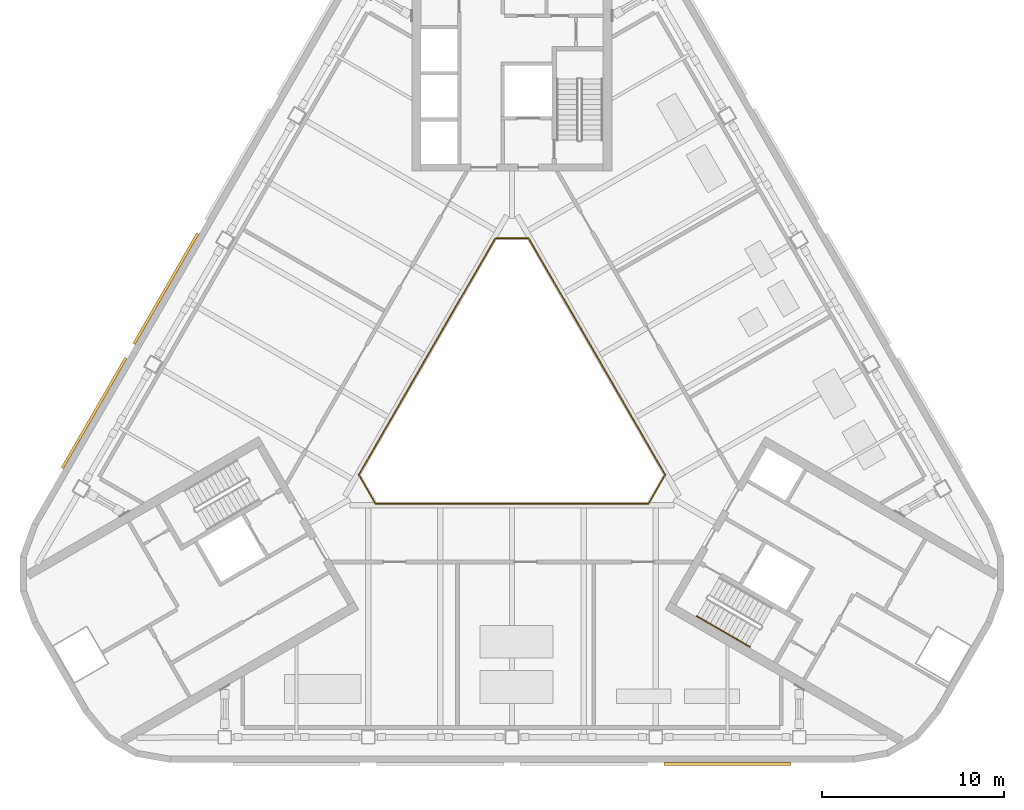
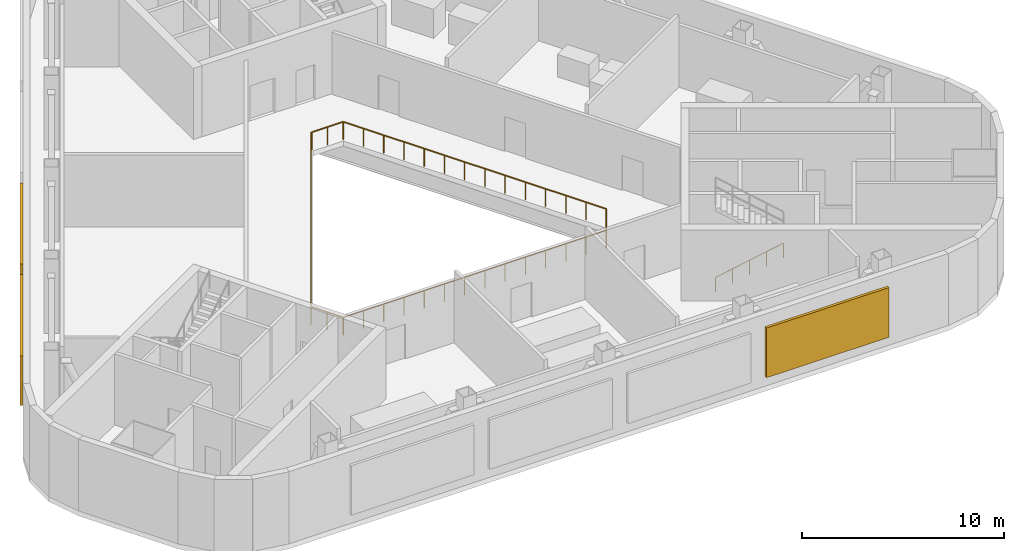
# One storey, part 11 of 14: 3 railings, 3 shading devices.
"""IFC4 building model written with IfcOpenShell, lengths in metres."""

from ifc_helpers import new_model, si_unit, direction, frame, origin, origin_2d, place, context, subcontext, project, spatial, rectangle, circle, extrude, material, type_object, element, save


model = new_model("IFC4")

# Units and contexts
model_context = context("Model", 3, precision=1e-05, world=origin(), true_north=direction((0.0, 1.0)))
body_context = subcontext(model_context, "Body", "Model", "MODEL_VIEW")
ifc_project = project(units=[si_unit("LENGTHUNIT", "METRE"), si_unit("AREAUNIT", "SQUARE_METRE"), si_unit("VOLUMEUNIT", "CUBIC_METRE"), si_unit("PLANEANGLEUNIT", "RADIAN"), si_unit("MASSUNIT", "GRAM", prefix="KILO")], contexts=[model_context])

# Site, building, storey
site_placement = place(None, origin())
site = spatial("IfcSite", under=ifc_project, at=site_placement, CompositionType="ELEMENT")
building_placement = place(site_placement, origin())
building = spatial("IfcBuilding", under=site, at=building_placement, Name="Apuvela Tower Hotel", CompositionType="ELEMENT")
storey_placement = place(building_placement, frame((0.0, 0.0, 242.199951171875)))
storey = spatial("IfcBuildingStorey", under=building, at=storey_placement, Name="L59 Plant", CompositionType="ELEMENT", Elevation=242.199951171875)

# Railings
ifc_material_1 = material(Name="Stainless steel 316 handrail", Category="steel")
railing_type_1 = type_object("IfcRailingType", Name="COR-HANDRAIL-900", PredefinedType="HANDRAIL", material=ifc_material_1)
railing_1_placement = place(storey_placement, frame((10.1689453125, -11.5869140625, 0.173095703125)))
element("IfcRailing", 1, at=railing_1_placement, inside=storey, type_object=railing_type_1, Name="L59 Plant ST3 stair handrail 1", PredefinedType="HANDRAIL", context=body_context, shape_type="SweptSolid", body=[
    extrude(circle(Radius=0.02392578125, at=origin_2d()), frame((0.0, 0.0, 0.8759765625), z_axis=(0.736667954249, -0.425288379326, 0.525785240943), x_axis=(0.499976138585, 0.866039179741, 0.0)), (0.0, 0.0, 1.0), 3.9501953125),
    extrude(rectangle(XDim=0.0419921875, YDim=0.0419921875, at=origin_2d()), origin(), (0.0, 0.0, 1.0), 0.851806640625),
    extrude(rectangle(XDim=0.0419921875, YDim=0.0419921875, at=origin_2d()), frame((0.7275390625, -0.419921875, 0.519287109375)), (0.0, 0.0, 1.0), 0.851806640625),
    extrude(rectangle(XDim=0.0419921875, YDim=0.0419921875, at=origin_2d()), frame((1.455078125, -0.83984375, 1.03857421875)), (0.0, 0.0, 1.0), 0.851806640625),
    extrude(rectangle(XDim=0.0419921875, YDim=0.0419921875, at=origin_2d()), frame((2.182373046875, -1.260009765625, 1.5576171875)), (0.0, 0.0, 1.0), 0.851806640625),
    extrude(rectangle(XDim=0.0419921875, YDim=0.0419921875, at=origin_2d()), frame((2.909912109375, -1.679931640625, 2.076904296875)), (0.0, 0.0, 1.0), 0.851806640625),
])
ifc_material_2 = material(Name="Stainless steel 316 rail with laminated glass infill", Category="steel")
railing_type_2 = type_object("IfcRailingType", Name="ENV-GUARD-1100", PredefinedType="GUARDRAIL", material=ifc_material_2)
railing_2_placement = place(storey_placement, frame((-0.923828125, 9.199951171875, 0.0)))
element("IfcRailing", 2, at=railing_2_placement, inside=storey, type_object=railing_type_2, Name="Atrium void guard A L59 Plant", PredefinedType="GUARDRAIL", context=body_context, shape_type="SweptSolid", body=[
    extrude(rectangle(XDim=0.050048828125, YDim=0.050048828125, at=origin_2d()), frame((0.0, 0.0, 1.0751953125), z_axis=(-0.499990886379, -0.866030665472, 0.0), x_axis=(0.866030665472, -0.499990886379, 0.0)), (0.0, 0.0, 1.0), 15.010986328125),
    extrude(rectangle(XDim=0.050048828125, YDim=0.050048828125, at=origin_2d()), frame((-7.50537109375, -13.0, 1.0751953125), z_axis=(0.499962699187, -0.866046938348, 0.0), x_axis=(0.866046938348, 0.499962699187, 0.0)), (0.0, 0.0, 1.0), 1.847412109375),
    extrude(rectangle(XDim=0.050048828125, YDim=0.050048828125, at=origin_2d()), frame((-6.581787109375, -14.599853515625, 1.0751953125), z_axis=(1.0, 0.0, 0.0), x_axis=(0.0, 1.0, 0.0)), (0.0, 0.0, 1.0), 15.01123046875),
    extrude(rectangle(XDim=0.0400390625, YDim=0.0400390625, at=origin_2d()), origin(), (0.0, 0.0, 1.0), 1.050048828125),
    extrude(rectangle(XDim=0.0400390625, YDim=0.0400390625, at=origin_2d()), frame((-0.577392578125, -1.0, 0.0)), (0.0, 0.0, 1.0), 1.050048828125),
    extrude(rectangle(XDim=0.0400390625, YDim=0.0400390625, at=origin_2d()), frame((-1.15478515625, -2.0, 0.0)), (0.0, 0.0, 1.0), 1.050048828125),
    extrude(rectangle(XDim=0.0400390625, YDim=0.0400390625, at=origin_2d()), frame((-1.73193359375, -3.0, 0.0)), (0.0, 0.0, 1.0), 1.050048828125),
    extrude(rectangle(XDim=0.0400390625, YDim=0.0400390625, at=origin_2d()), frame((-2.309326171875, -4.0, 0.0)), (0.0, 0.0, 1.0), 1.050048828125),
    extrude(rectangle(XDim=0.0400390625, YDim=0.0400390625, at=origin_2d()), frame((-2.88671875, -5.0, 0.0)), (0.0, 0.0, 1.0), 1.050048828125),
    extrude(rectangle(XDim=0.0400390625, YDim=0.0400390625, at=origin_2d()), frame((-3.464111328125, -6.0, 0.0)), (0.0, 0.0, 1.0), 1.050048828125),
    extrude(rectangle(XDim=0.0400390625, YDim=0.0400390625, at=origin_2d()), frame((-4.041259765625, -7.0, 0.0)), (0.0, 0.0, 1.0), 1.050048828125),
    extrude(rectangle(XDim=0.0400390625, YDim=0.0400390625, at=origin_2d()), frame((-4.61865234375, -8.0, 0.0)), (0.0, 0.0, 1.0), 1.050048828125),
    extrude(rectangle(XDim=0.0400390625, YDim=0.0400390625, at=origin_2d()), frame((-5.196044921875, -9.0, 0.0)), (0.0, 0.0, 1.0), 1.050048828125),
    extrude(rectangle(XDim=0.0400390625, YDim=0.0400390625, at=origin_2d()), frame((-5.7734375, -10.0, 0.0)), (0.0, 0.0, 1.0), 1.050048828125),
    extrude(rectangle(XDim=0.0400390625, YDim=0.0400390625, at=origin_2d()), frame((-6.3505859375, -11.0, 0.0)), (0.0, 0.0, 1.0), 1.050048828125),
    extrude(rectangle(XDim=0.0400390625, YDim=0.0400390625, at=origin_2d()), frame((-6.927978515625, -12.0, 0.0)), (0.0, 0.0, 1.0), 1.050048828125),
    extrude(rectangle(XDim=0.0400390625, YDim=0.0400390625, at=origin_2d()), frame((-7.50537109375, -13.0, 0.0)), (0.0, 0.0, 1.0), 1.050048828125),
    extrude(rectangle(XDim=0.0400390625, YDim=0.0400390625, at=origin_2d()), frame((-7.04345703125, -13.7998046875, 0.0)), (0.0, 0.0, 1.0), 1.050048828125),
    extrude(rectangle(XDim=0.0400390625, YDim=0.0400390625, at=origin_2d()), frame((-6.581787109375, -14.599853515625, 0.0)), (0.0, 0.0, 1.0), 1.050048828125),
    extrude(rectangle(XDim=0.0400390625, YDim=0.0400390625, at=origin_2d()), frame((-5.427001953125, -14.599853515625, 0.0)), (0.0, 0.0, 1.0), 1.050048828125),
    extrude(rectangle(XDim=0.0400390625, YDim=0.0400390625, at=origin_2d()), frame((-4.2724609375, -14.599853515625, 0.0)), (0.0, 0.0, 1.0), 1.050048828125),
    extrude(rectangle(XDim=0.0400390625, YDim=0.0400390625, at=origin_2d()), frame((-3.11767578125, -14.599853515625, 0.0)), (0.0, 0.0, 1.0), 1.050048828125),
    extrude(rectangle(XDim=0.0400390625, YDim=0.0400390625, at=origin_2d()), frame((-1.962890625, -14.599853515625, 0.0)), (0.0, 0.0, 1.0), 1.050048828125),
    extrude(rectangle(XDim=0.0400390625, YDim=0.0400390625, at=origin_2d()), frame((-0.808349609375, -14.599853515625, 0.0)), (0.0, 0.0, 1.0), 1.050048828125),
    extrude(rectangle(XDim=0.0400390625, YDim=0.0400390625, at=origin_2d()), frame((0.346435546875, -14.599853515625, 0.0)), (0.0, 0.0, 1.0), 1.050048828125),
    extrude(rectangle(XDim=0.0400390625, YDim=0.0400390625, at=origin_2d()), frame((1.501220703125, -14.599853515625, 0.0)), (0.0, 0.0, 1.0), 1.050048828125),
    extrude(rectangle(XDim=0.0400390625, YDim=0.0400390625, at=origin_2d()), frame((2.656005859375, -14.599853515625, 0.0)), (0.0, 0.0, 1.0), 1.050048828125),
    extrude(rectangle(XDim=0.0400390625, YDim=0.0400390625, at=origin_2d()), frame((3.810546875, -14.599853515625, 0.0)), (0.0, 0.0, 1.0), 1.050048828125),
    extrude(rectangle(XDim=0.0400390625, YDim=0.0400390625, at=origin_2d()), frame((4.96533203125, -14.599853515625, 0.0)), (0.0, 0.0, 1.0), 1.050048828125),
    extrude(rectangle(XDim=0.0400390625, YDim=0.0400390625, at=origin_2d()), frame((6.1201171875, -14.599853515625, 0.0)), (0.0, 0.0, 1.0), 1.050048828125),
    extrude(rectangle(XDim=0.0400390625, YDim=0.0400390625, at=origin_2d()), frame((7.274658203125, -14.599853515625, 0.0)), (0.0, 0.0, 1.0), 1.050048828125),
    extrude(rectangle(XDim=0.0400390625, YDim=0.0400390625, at=origin_2d()), frame((8.429443359375, -14.599853515625, 0.0)), (0.0, 0.0, 1.0), 1.050048828125),
])
railing_3_placement = place(storey_placement, frame((7.53564453125, -5.347900390625, 0.0)))
element("IfcRailing", 3, at=railing_3_placement, inside=storey, type_object=railing_type_2, Name="Atrium void guard B L59 Plant", PredefinedType="GUARDRAIL", context=body_context, shape_type="SweptSolid", body=[
    extrude(rectangle(XDim=0.050048828125, YDim=0.050048828125, at=origin_2d()), frame((0.0, 0.0, 1.0751953125), z_axis=(0.499958946799, 0.866049104564, 0.0), x_axis=(-0.866049104564, 0.499958946799, 0.0)), (0.0, 0.0, 1.0), 1.787353515625),
    extrude(rectangle(XDim=0.050048828125, YDim=0.050048828125, at=origin_2d()), frame((0.8935546875, 1.5478515625, 1.0751953125), z_axis=(-0.499990886379, 0.866030665472, 0.0), x_axis=(-0.866030665472, -0.499990886379, 0.0)), (0.0, 0.0, 1.0), 15.010986328125),
    extrude(rectangle(XDim=0.050048828125, YDim=0.050048828125, at=origin_2d()), frame((-6.61181640625, 14.5478515625, 1.0751953125), z_axis=(-1.0, 0.0, 0.0), x_axis=(0.0, -1.0, 0.0)), (0.0, 0.0, 1.0), 1.78759765625),
    extrude(rectangle(XDim=0.0400390625, YDim=0.0400390625, at=origin_2d()), origin(), (0.0, 0.0, 1.0), 1.050048828125),
    extrude(rectangle(XDim=0.0400390625, YDim=0.0400390625, at=origin_2d()), frame((0.44677734375, 0.77392578125, 0.0)), (0.0, 0.0, 1.0), 1.050048828125),
    extrude(rectangle(XDim=0.0400390625, YDim=0.0400390625, at=origin_2d()), frame((0.8935546875, 1.5478515625, 0.0)), (0.0, 0.0, 1.0), 1.050048828125),
    extrude(rectangle(XDim=0.0400390625, YDim=0.0400390625, at=origin_2d()), frame((0.316162109375, 2.5478515625, 0.0)), (0.0, 0.0, 1.0), 1.050048828125),
    extrude(rectangle(XDim=0.0400390625, YDim=0.0400390625, at=origin_2d()), frame((-0.26123046875, 3.5478515625, 0.0)), (0.0, 0.0, 1.0), 1.050048828125),
    extrude(rectangle(XDim=0.0400390625, YDim=0.0400390625, at=origin_2d()), frame((-0.83837890625, 4.5478515625, 0.0)), (0.0, 0.0, 1.0), 1.050048828125),
    extrude(rectangle(XDim=0.0400390625, YDim=0.0400390625, at=origin_2d()), frame((-1.415771484375, 5.5478515625, 0.0)), (0.0, 0.0, 1.0), 1.050048828125),
    extrude(rectangle(XDim=0.0400390625, YDim=0.0400390625, at=origin_2d()), frame((-1.9931640625, 6.5478515625, 0.0)), (0.0, 0.0, 1.0), 1.050048828125),
    extrude(rectangle(XDim=0.0400390625, YDim=0.0400390625, at=origin_2d()), frame((-2.570556640625, 7.5478515625, 0.0)), (0.0, 0.0, 1.0), 1.050048828125),
    extrude(rectangle(XDim=0.0400390625, YDim=0.0400390625, at=origin_2d()), frame((-3.147705078125, 8.5478515625, 0.0)), (0.0, 0.0, 1.0), 1.050048828125),
    extrude(rectangle(XDim=0.0400390625, YDim=0.0400390625, at=origin_2d()), frame((-3.72509765625, 9.5478515625, 0.0)), (0.0, 0.0, 1.0), 1.050048828125),
    extrude(rectangle(XDim=0.0400390625, YDim=0.0400390625, at=origin_2d()), frame((-4.302490234375, 10.5478515625, 0.0)), (0.0, 0.0, 1.0), 1.050048828125),
    extrude(rectangle(XDim=0.0400390625, YDim=0.0400390625, at=origin_2d()), frame((-4.8798828125, 11.5478515625, 0.0)), (0.0, 0.0, 1.0), 1.050048828125),
    extrude(rectangle(XDim=0.0400390625, YDim=0.0400390625, at=origin_2d()), frame((-5.45703125, 12.5478515625, 0.0)), (0.0, 0.0, 1.0), 1.050048828125),
    extrude(rectangle(XDim=0.0400390625, YDim=0.0400390625, at=origin_2d()), frame((-6.034423828125, 13.5478515625, 0.0)), (0.0, 0.0, 1.0), 1.050048828125),
    extrude(rectangle(XDim=0.0400390625, YDim=0.0400390625, at=origin_2d()), frame((-6.61181640625, 14.5478515625, 0.0)), (0.0, 0.0, 1.0), 1.050048828125),
    extrude(rectangle(XDim=0.0400390625, YDim=0.0400390625, at=origin_2d()), frame((-7.505615234375, 14.5478515625, 0.0)), (0.0, 0.0, 1.0), 1.050048828125),
    extrude(rectangle(XDim=0.0400390625, YDim=0.0400390625, at=origin_2d()), frame((-8.3994140625, 14.5478515625, 0.0)), (0.0, 0.0, 1.0), 1.050048828125),
])

# Shading devices
ifc_material_3 = material(Name="Aluminium 6063-T6, black anodised louvre blades", Category="aluminium")
shading_device_type = type_object("IfcShadingDeviceType", Name="ENV-LOUVRE-SCREEN", PredefinedType="USERDEFINED", material=ifc_material_3)
for number, where, z_axis, x_axis, name in (
    (4, (11.85009765625, -19.705078125, 0.60009765625), (0.0, 0.0, 1.0), (1.0, 0.0, 0.0), "Plant louvre S4"),
    (5, (-19.0400390625, 6.431640625, 0.60009765625), (0.0, 0.0, 1.0), (-0.5, -0.866025403784, 0.0), "Plant louvre NW11"),
    (6, (-22.989990234375, -0.409912109375, 0.60009765625), (0.0, 0.0, 1.0), (-0.5, -0.866025403784, 0.0), "Plant louvre NW12"),
):
    element("IfcShadingDevice", number, at=place(storey_placement, frame(where, z_axis=z_axis, x_axis=x_axis)), inside=storey, type_object=shading_device_type, Name=name, ObjectType="LOUVRE", PredefinedType="USERDEFINED", context=body_context, shape_type="SweptSolid", body=[
        extrude(rectangle(XDim=7.0, YDim=0.14990234375, at=origin_2d()), origin(), (0.0, 0.0, 1.0), 3.0),
    ])

save(model, "model.ifc")
